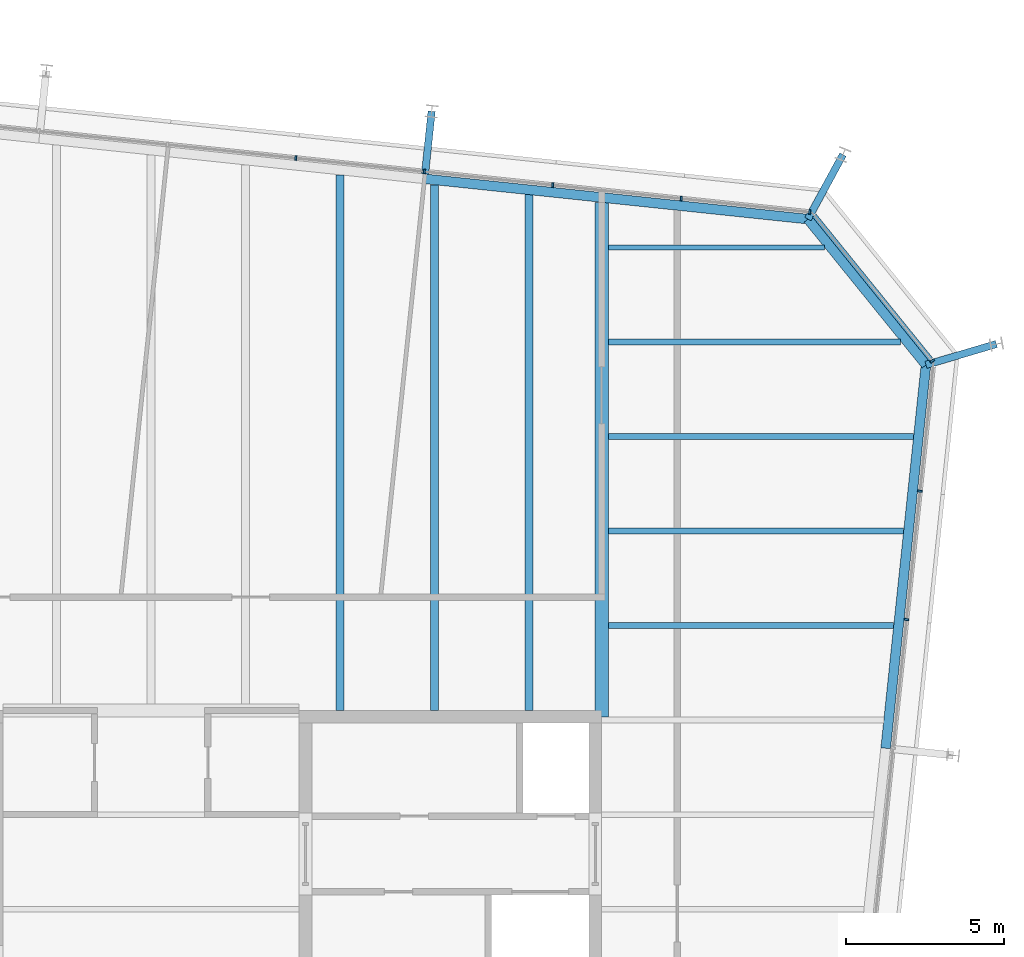
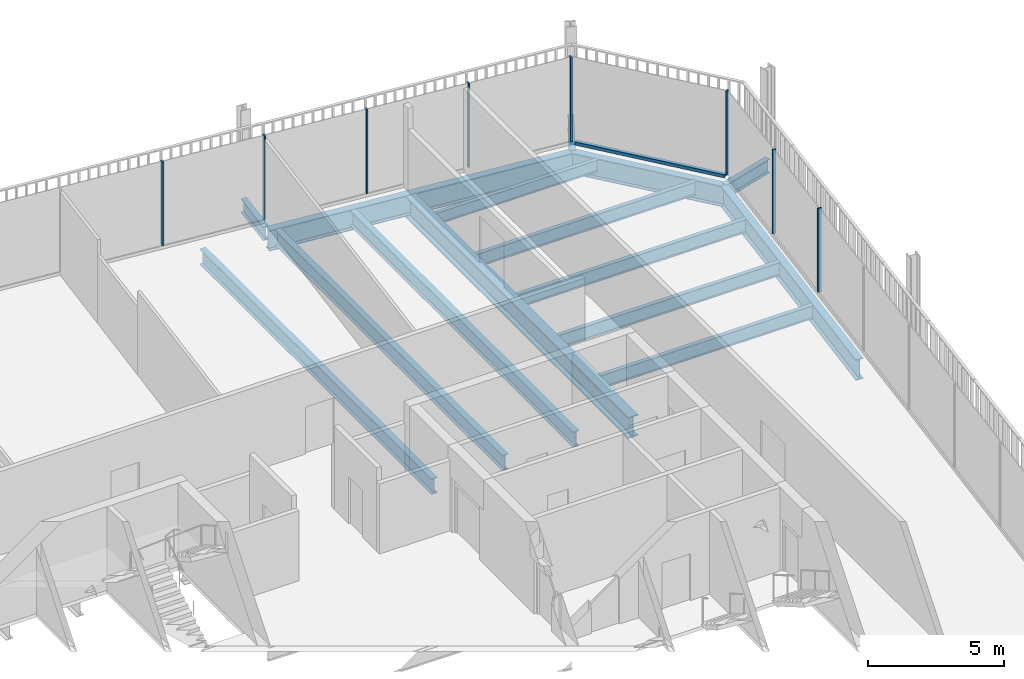
# One storey, part 14 of 20: 15 beams, 9 members, 3 elements without a shape of their own.
"""IFC4 building model written with IfcOpenShell, lengths in metres."""

from ifc_helpers import new_model, si_unit, direction, frame, origin, origin_2d, place, context, subcontext, project, spatial, rectangle, i_section, extrude, material, layer, layer_set, material_profile, profile_set, type_object, element, aggregate, save


model = new_model("IFC4")

# Units and contexts
model_context = context("Model", 3, precision=1e-05, world=origin(), true_north=direction((0.0, 1.0)))
body_context = subcontext(model_context, "Body", "Model", "MODEL_VIEW")
ifc_project = project(units=[si_unit("LENGTHUNIT", "METRE"), si_unit("AREAUNIT", "SQUARE_METRE"), si_unit("VOLUMEUNIT", "CUBIC_METRE"), si_unit("PLANEANGLEUNIT", "RADIAN"), si_unit("MASSUNIT", "GRAM", prefix="KILO")], contexts=[model_context])

# Site, building, storey
site_placement = place(None, origin())
site = spatial("IfcSite", under=ifc_project, at=site_placement, CompositionType="ELEMENT")
building_placement = place(site_placement, origin())
building = spatial("IfcBuilding", under=site, at=building_placement, Name="Millrace Tower", CompositionType="ELEMENT")
storey_placement = place(building_placement, frame((0.0, 0.0, 330.39990234375)))
storey = spatial("IfcBuildingStorey", under=building, at=storey_placement, Name="L76", CompositionType="ELEMENT", Elevation=330.39990234375)

# Curtain wall, members
ifc_material_1 = material(Name="Aluminium and glass", Category="aluminium")
ifc_layer = layer(ifc_material_1, 0.14990234375)
ifc_layer_set = layer_set([ifc_layer], Name="Aluminium and glass")
curtain_wall_type = type_object("IfcCurtainWallType", Name="CW-1 office vision curtain wall", PredefinedType="NOTDEFINED", material=ifc_layer_set)
placement = place(storey_placement, origin())
curtain_wall_1 = element("IfcCurtainWall", 1, at=placement, inside=storey, type_object=curtain_wall_type, Name="Curtain wall E-F04 L76", PredefinedType="NOTDEFINED")
ifc_material_2 = material(Name="Aluminium", Category="aluminium")
ifc_material_profile_1 = material_profile(ifc_material_2, rectangle(XDim=0.06494140625, YDim=0.14990234375, at=origin_2d()))
ifc_profile_set_1 = profile_set([ifc_material_profile_1], Name="Aluminium")
member_type_1 = type_object("IfcMemberType", Name="CW-1 office vision curtain wall mullion", PredefinedType="MULLION", material=ifc_profile_set_1)
member_1_placement = place(storey_placement, frame((23.974853515625, 12.1904296875, 0.14013671875), z_axis=(0.0, 0.0, 1.0), x_axis=(0.104528455196, 0.994521896217, 0.0)))
member_1 = element("IfcMember", 2, at=member_1_placement, type_object=member_type_1, Name="CW1 mullion E-F04.8", PredefinedType="MULLION", context=body_context, shape_type="SweptSolid", body=[
    extrude(rectangle(XDim=0.06494140625, YDim=0.14990234375, at=origin_2d()), origin(), (0.0, 0.0, 1.0), 3.760009765625),
])
member_2_placement = place(storey_placement, frame((24.4033203125, 16.267822265625, 0.14013671875), z_axis=(0.0, 0.0, 1.0), x_axis=(0.104528455196, 0.994521896217, 0.0)))
member_2 = element("IfcMember", 3, at=member_2_placement, type_object=member_type_1, Name="CW1 mullion E-F04.9", PredefinedType="MULLION", context=body_context, shape_type="SweptSolid", body=[
    extrude(rectangle(XDim=0.06494140625, YDim=0.14990234375, at=origin_2d()), origin(), (0.0, 0.0, 1.0), 3.760009765625),
])
aggregate(curtain_wall_1, [member_1, member_2])

# Curtain wall, member
curtain_wall_2 = element("IfcCurtainWall", 4, at=placement, inside=storey, type_object=curtain_wall_type, Name="Curtain wall E-F05 L76", PredefinedType="NOTDEFINED")
member_3_placement = place(storey_placement, frame((24.791748046875, 20.393310546875, 0.14013671875), z_axis=(0.0, 0.0, 1.0), x_axis=(-0.629320278945, 0.777146052237, 0.0)))
member_3 = element("IfcMember", 5, at=member_3_placement, type_object=member_type_1, Name="CW1 mullion E-F05.1", PredefinedType="MULLION", context=body_context, shape_type="SweptSolid", body=[
    extrude(rectangle(XDim=0.06494140625, YDim=0.14990234375, at=origin_2d()), origin(), (0.0, 0.0, 1.0), 3.760009765625),
])

# Curtain wall, members
curtain_wall_3 = element("IfcCurtainWall", 6, at=placement, inside=storey, type_object=curtain_wall_type, Name="Curtain wall E-F06 L76", PredefinedType="NOTDEFINED")
member_4_placement = place(storey_placement, frame((20.902587890625, 25.124755859375, 0.14013671875), z_axis=(0.0, 0.0, 1.0), x_axis=(-0.994521896217, 0.104528455196, 0.0)))
member_4 = element("IfcMember", 7, at=member_4_placement, type_object=member_type_1, Name="CW1 mullion E-F06.1", PredefinedType="MULLION", context=body_context, shape_type="SweptSolid", body=[
    extrude(rectangle(XDim=0.06494140625, YDim=0.14990234375, at=origin_2d()), origin(), (0.0, 0.0, 1.0), 3.760009765625),
])
member_5_placement = place(storey_placement, frame((16.824951171875, 25.553466796875, 0.14013671875), z_axis=(0.0, 0.0, 1.0), x_axis=(-0.994521896217, 0.104528455196, 0.0)))
member_5 = element("IfcMember", 8, at=member_5_placement, type_object=member_type_1, Name="CW1 mullion E-F06.2", PredefinedType="MULLION", context=body_context, shape_type="SweptSolid", body=[
    extrude(rectangle(XDim=0.06494140625, YDim=0.14990234375, at=origin_2d()), origin(), (0.0, 0.0, 1.0), 3.760009765625),
])
member_6_placement = place(storey_placement, frame((12.747314453125, 25.98193359375, 0.14013671875), z_axis=(0.0, 0.0, 1.0), x_axis=(-0.994521896217, 0.104528455196, 0.0)))
member_6 = element("IfcMember", 9, at=member_6_placement, type_object=member_type_1, Name="CW1 mullion E-F06.3", PredefinedType="MULLION", context=body_context, shape_type="SweptSolid", body=[
    extrude(rectangle(XDim=0.06494140625, YDim=0.14990234375, at=origin_2d()), origin(), (0.0, 0.0, 1.0), 3.760009765625),
])
member_7_placement = place(storey_placement, frame((8.669921875, 26.410400390625, 0.14013671875), z_axis=(0.0, 0.0, 1.0), x_axis=(-0.994521896217, 0.104528455196, 0.0)))
member_7 = element("IfcMember", 10, at=member_7_placement, type_object=member_type_1, Name="CW1 mullion E-F06.4", PredefinedType="MULLION", context=body_context, shape_type="SweptSolid", body=[
    extrude(rectangle(XDim=0.06494140625, YDim=0.14990234375, at=origin_2d()), origin(), (0.0, 0.0, 1.0), 3.760009765625),
])
member_8_placement = place(storey_placement, frame((4.59228515625, 26.839111328125, 0.14013671875), z_axis=(0.0, 0.0, 1.0), x_axis=(-0.994521896217, 0.104528455196, 0.0)))
member_8 = element("IfcMember", 11, at=member_8_placement, type_object=member_type_1, Name="CW1 mullion E-F06.5", PredefinedType="MULLION", context=body_context, shape_type="SweptSolid", body=[
    extrude(rectangle(XDim=0.06494140625, YDim=0.14990234375, at=origin_2d()), origin(), (0.0, 0.0, 1.0), 3.760009765625),
])
aggregate(curtain_wall_3, [member_4, member_5, member_6, member_7, member_8])

# Member
ifc_material_3 = material(Name="Aluminium", Category="aluminium")
ifc_material_profile_2 = material_profile(ifc_material_3, rectangle(XDim=0.14990234375, YDim=0.139892578125, at=origin_2d()))
ifc_profile_set_2 = profile_set([ifc_material_profile_2], Name="Aluminium")
member_type_2 = type_object("IfcMemberType", Name="CW-1 office vision curtain wall transom", PredefinedType="USERDEFINED", material=ifc_profile_set_2)
member_9_placement = place(storey_placement, frame((24.749267578125, 20.44580078125, 0.070068359375), z_axis=(-0.629321221277, 0.777145289151, 0.0), x_axis=(-0.777145289151, -0.629321221277, 0.0)))
member_9 = element("IfcMember", 12, at=member_9_placement, type_object=member_type_2, Name="CW1 transom E-F05.1", ObjectType="TRANSOM", PredefinedType="USERDEFINED", context=body_context, shape_type="SweptSolid", body=[
    extrude(rectangle(XDim=0.14990234375, YDim=0.139892578125, at=origin_2d()), origin(), (0.0, 0.0, 1.0), 5.881103515625),
])

aggregate(curtain_wall_2, [member_3, member_9])

# Beams
ifc_material_4 = material(Name="Steel ASTM A992 Grade 50", Category="steel")
ifc_material_profile_3 = material_profile(ifc_material_4, i_section(OverallWidth=0.1650390625, OverallDepth=0.52587890625, WebThickness=0.0087890625, FlangeThickness=0.011474609375, FilletRadius=0.0126953125, at=origin_2d()))
ifc_profile_set_3 = profile_set([ifc_material_profile_3], Name="Steel ASTM A992 Grade 50")
beam_type_1 = type_object("IfcBeamType", Name="Floor beam W21x44", PredefinedType="JOIST", material=ifc_profile_set_3)
beam_1_placement = place(storey_placement, frame((14.509521484375, 24.0, -0.4228515625), z_axis=(1.0, 0.0, 0.0), x_axis=(0.0, 1.0, 0.0)))
element("IfcBeam", 13, at=beam_1_placement, inside=storey, type_object=beam_type_1, Name="BM-E-L76-S1-S034", PredefinedType="JOIST", context=body_context, shape_type="SweptSolid", body=[
    extrude(i_section(OverallWidth=0.1650390625, OverallDepth=0.52587890625, WebThickness=0.0087890625, FlangeThickness=0.011474609375, FilletRadius=0.0126953125, at=origin_2d()), origin(), (0.0, 0.0, 1.0), 6.861572265625),
])
ifc_material_5 = material(Name="Steel ASTM A992 Grade 50", Category="steel")
ifc_material_profile_4 = material_profile(ifc_material_5, i_section(OverallWidth=0.177978515625, OverallDepth=0.599365234375, WebThickness=0.010009765625, FlangeThickness=0.012939453125, FilletRadius=0.012939453125, at=origin_2d()))
ifc_profile_set_4 = profile_set([ifc_material_profile_4], Name="Steel ASTM A992 Grade 50")
beam_type_2 = type_object("IfcBeamType", Name="Floor beam W24x55", PredefinedType="JOIST", material=ifc_profile_set_4)
beam_2_placement = place(storey_placement, frame((14.509521484375, 12.0, -0.459716796875), z_axis=(1.0, 0.0, 0.0), x_axis=(0.0, 1.0, 0.0)))
element("IfcBeam", 14, at=beam_2_placement, inside=storey, type_object=beam_type_2, Name="BM-E-L76-S1-S026", PredefinedType="JOIST", context=body_context, shape_type="SweptSolid", body=[
    extrude(i_section(OverallWidth=0.177978515625, OverallDepth=0.599365234375, WebThickness=0.010009765625, FlangeThickness=0.012939453125, FilletRadius=0.012939453125, at=origin_2d()), origin(), (0.0, 0.0, 1.0), 9.060791015625),
])
beam_3_placement = place(storey_placement, frame((14.509521484375, 15.0, -0.459716796875), z_axis=(1.0, 0.0, 0.0), x_axis=(0.0, 1.0, 0.0)))
element("IfcBeam", 15, at=beam_3_placement, inside=storey, type_object=beam_type_2, Name="BM-E-L76-S1-S028", PredefinedType="JOIST", context=body_context, shape_type="SweptSolid", body=[
    extrude(i_section(OverallWidth=0.177978515625, OverallDepth=0.599365234375, WebThickness=0.010009765625, FlangeThickness=0.012939453125, FilletRadius=0.012939453125, at=origin_2d()), origin(), (0.0, 0.0, 1.0), 9.376220703125),
])
beam_4_placement = place(storey_placement, frame((14.509521484375, 18.0, -0.459716796875), z_axis=(1.0, 0.0, 0.0), x_axis=(0.0, 1.0, 0.0)))
element("IfcBeam", 16, at=beam_4_placement, inside=storey, type_object=beam_type_2, Name="BM-E-L76-S1-S030", PredefinedType="JOIST", context=body_context, shape_type="SweptSolid", body=[
    extrude(i_section(OverallWidth=0.177978515625, OverallDepth=0.599365234375, WebThickness=0.010009765625, FlangeThickness=0.012939453125, FilletRadius=0.012939453125, at=origin_2d()), origin(), (0.0, 0.0, 1.0), 9.69140625),
])
beam_5_placement = place(storey_placement, frame((14.509521484375, 21.0, -0.459716796875), z_axis=(1.0, 0.0, 0.0), x_axis=(0.0, 1.0, 0.0)))
element("IfcBeam", 17, at=beam_5_placement, inside=storey, type_object=beam_type_2, Name="BM-E-L76-S1-S032", PredefinedType="JOIST", context=body_context, shape_type="SweptSolid", body=[
    extrude(i_section(OverallWidth=0.177978515625, OverallDepth=0.599365234375, WebThickness=0.010009765625, FlangeThickness=0.012939453125, FilletRadius=0.012939453125, at=origin_2d()), origin(), (0.0, 0.0, 1.0), 9.282958984375),
])
ifc_material_6 = material(Name="Steel ASTM A992 Grade 50", Category="steel")
ifc_material_profile_5 = material_profile(ifc_material_6, i_section(OverallWidth=0.256591796875, OverallDepth=0.693359375, WebThickness=0.014404296875, FlangeThickness=0.023681640625, FilletRadius=0.01513671875, at=origin_2d()))
ifc_profile_set_5 = profile_set([ifc_material_profile_5], Name="Steel ASTM A992 Grade 50")
beam_type_3 = type_object("IfcBeamType", Name="Floor beam W27x114", PredefinedType="JOIST", material=ifc_profile_set_5)
beam_6_placement = place(storey_placement, frame((6.0, 9.300048828125, -0.506591796875), z_axis=(0.0, 1.0, 0.0), x_axis=(-1.0, 0.0, 0.0)))
element("IfcBeam", 18, at=beam_6_placement, inside=storey, type_object=beam_type_3, Name="BM-E-L76-S1-S048", PredefinedType="JOIST", context=body_context, shape_type="SweptSolid", body=[
    extrude(i_section(OverallWidth=0.256591796875, OverallDepth=0.693359375, WebThickness=0.014404296875, FlangeThickness=0.023681640625, FilletRadius=0.01513671875, at=origin_2d()), origin(), (0.0, 0.0, 1.0), 17.006591796875),
])
beam_7_placement = place(storey_placement, frame((9.0, 9.300048828125, -0.506591796875), z_axis=(0.0, 1.0, 0.0), x_axis=(-1.0, 0.0, 0.0)))
element("IfcBeam", 19, at=beam_7_placement, inside=storey, type_object=beam_type_3, Name="BM-E-L76-S1-S050", PredefinedType="JOIST", context=body_context, shape_type="SweptSolid", body=[
    extrude(i_section(OverallWidth=0.256591796875, OverallDepth=0.693359375, WebThickness=0.014404296875, FlangeThickness=0.023681640625, FilletRadius=0.01513671875, at=origin_2d()), origin(), (0.0, 0.0, 1.0), 16.69140625),
])
beam_8_placement = place(storey_placement, frame((12.0, 9.300048828125, -0.506591796875), z_axis=(0.0, 1.0, 0.0), x_axis=(-1.0, 0.0, 0.0)))
element("IfcBeam", 20, at=beam_8_placement, inside=storey, type_object=beam_type_3, Name="BM-E-L76-S1-S052", PredefinedType="JOIST", context=body_context, shape_type="SweptSolid", body=[
    extrude(i_section(OverallWidth=0.256591796875, OverallDepth=0.693359375, WebThickness=0.014404296875, FlangeThickness=0.023681640625, FilletRadius=0.01513671875, at=origin_2d()), origin(), (0.0, 0.0, 1.0), 16.3759765625),
])
ifc_material_7 = material(Name="Steel ASTM A992 Grade 50", Category="steel")
ifc_material_profile_6 = material_profile(ifc_material_7, i_section(OverallWidth=0.424072265625, OverallDepth=0.947509765625, WebThickness=0.02392578125, FlangeThickness=0.042724609375, FilletRadius=0.024169921875, at=origin_2d()))
ifc_profile_set_6 = profile_set([ifc_material_profile_6], Name="Steel ASTM A992 Grade 50")
beam_type_4 = type_object("IfcBeamType", Name="Girder medium span W36x302", PredefinedType="BEAM", material=ifc_profile_set_6)
beam_9_placement = place(storey_placement, frame((14.300048828125, 9.092041015625, -0.633544921875), z_axis=(0.0, 1.0, 0.0), x_axis=(-1.0, 0.0, 0.0)))
element("IfcBeam", 21, at=beam_9_placement, inside=storey, type_object=beam_type_4, Name="BM-E-L76-S1-G056", PredefinedType="BEAM", context=body_context, shape_type="SweptSolid", body=[
    extrude(i_section(OverallWidth=0.424072265625, OverallDepth=0.947509765625, WebThickness=0.02392578125, FlangeThickness=0.042724609375, FilletRadius=0.024169921875, at=origin_2d()), origin(), (0.0, 0.0, 1.0), 16.34228515625),
])
ifc_material_8 = material(Name="Steel ASTM A992 Grade 50", Category="steel")
ifc_material_profile_7 = material_profile(ifc_material_8, i_section(OverallWidth=0.23046875, OverallDepth=0.6171875, WebThickness=0.01318359375, FlangeThickness=0.022216796875, FilletRadius=0.012939453125, at=origin_2d()))
ifc_profile_set_7 = profile_set([ifc_material_profile_7], Name="Steel ASTM A992 Grade 50")
beam_type_5 = type_object("IfcBeamType", Name="Link beam W24x94", PredefinedType="BEAM", material=ifc_profile_set_7)
beam_10_placement = place(storey_placement, frame((8.6943359375, 26.33251953125, -0.468505859375), z_axis=(0.104494148666, 0.99452550138, 0.0), x_axis=(-0.99452550138, 0.104494148666, 0.0)))
element("IfcBeam", 22, at=beam_10_placement, inside=storey, type_object=beam_type_5, Name="LNK-E-L76-S1-07", PredefinedType="BEAM", context=body_context, shape_type="SweptSolid", body=[
    extrude(i_section(OverallWidth=0.23046875, OverallDepth=0.6171875, WebThickness=0.01318359375, FlangeThickness=0.022216796875, FilletRadius=0.012939453125, at=origin_2d()), origin(), (0.0, 0.0, 1.0), 2.0),
])
for number, where, z_axis, x_axis, name in (
    (23, (20.84765625, 24.900634765625, -0.468505859375), (0.477163510307, 0.87881453358, 0.0), (-0.87881453358, 0.477163510307, 0.0), "LNK-E-L76-S1-08"),
    (24, (24.594482421875, 20.273681640625, -0.468505859375), (0.958815015936, 0.284031275065, 0.0), (-0.284031275065, 0.958815015936, 0.0), "LNK-E-L76-S1-09"),
):
    element("IfcBeam", number, at=place(storey_placement, frame(where, z_axis=z_axis, x_axis=x_axis)), inside=storey, type_object=beam_type_5, Name=name, PredefinedType="BEAM", context=body_context, shape_type="SweptSolid", body=[
        extrude(i_section(OverallWidth=0.23046875, OverallDepth=0.6171875, WebThickness=0.01318359375, FlangeThickness=0.022216796875, FilletRadius=0.012939453125, at=origin_2d()), origin(), (0.0, 0.0, 1.0), 2.3310546875),
    ])
ifc_material_9 = material(Name="Steel ASTM A992 Grade 50", Category="steel")
ifc_material_profile_8 = material_profile(ifc_material_9, i_section(OverallWidth=0.307373046875, OverallDepth=0.927001953125, WebThickness=0.01953125, FlangeThickness=0.031982421875, FilletRadius=0.01904296875, at=origin_2d()))
ifc_profile_set_8 = profile_set([ifc_material_profile_8], Name="Steel ASTM A992 Grade 50")
beam_type_6 = type_object("IfcBeamType", Name="Ring beam medium span W36x194", PredefinedType="SPANDREL", material=ifc_profile_set_8)
for number, where, z_axis, x_axis, name in (
    (25, (8.67822265625, 26.1796875, -0.62353515625), (0.994521948696, -0.104527955888, 0.0), (0.104527955888, 0.994521948696, 0.0), "RNG-E-L76-S1-07"),
    (26, (24.594482421875, 20.273681640625, -0.62353515625), (-0.104527955888, -0.994521948696, 0.0), (0.994521948696, -0.104527955888, 0.0), "RNG-E-L76-S1-09"),
):
    element("IfcBeam", number, at=place(storey_placement, frame(where, z_axis=z_axis, x_axis=x_axis)), inside=storey, type_object=beam_type_6, Name=name, PredefinedType="SPANDREL", context=body_context, shape_type="SweptSolid", body=[
        extrude(i_section(OverallWidth=0.307373046875, OverallDepth=0.927001953125, WebThickness=0.01953125, FlangeThickness=0.031982421875, FilletRadius=0.01904296875, at=origin_2d()), origin(), (0.0, 0.0, 1.0), 12.236572265625),
    ])
ifc_material_10 = material(Name="Steel ASTM A992 Grade 50", Category="steel")
ifc_material_profile_9 = material_profile(ifc_material_10, i_section(OverallWidth=0.307373046875, OverallDepth=0.927001953125, WebThickness=0.01953125, FlangeThickness=0.031982421875, FilletRadius=0.01904296875, at=origin_2d()))
ifc_profile_set_9 = profile_set([ifc_material_profile_9], Name="Steel ASTM A992 Grade 50")
beam_type_7 = type_object("IfcBeamType", Name="Ring beam short span W36x194", PredefinedType="SPANDREL", material=ifc_profile_set_9)
beam_11_placement = place(storey_placement, frame((20.84765625, 24.900634765625, -0.62353515625), z_axis=(0.629319722443, -0.777146502883, 0.0), x_axis=(0.777146502883, 0.629319722443, 0.0)))
element("IfcBeam", 27, at=beam_11_placement, inside=storey, type_object=beam_type_7, Name="RNG-E-L76-S1-08", PredefinedType="SPANDREL", context=body_context, shape_type="SweptSolid", body=[
    extrude(i_section(OverallWidth=0.307373046875, OverallDepth=0.927001953125, WebThickness=0.01953125, FlangeThickness=0.031982421875, FilletRadius=0.01904296875, at=origin_2d()), origin(), (0.0, 0.0, 1.0), 5.953857421875),
])

save(model, "model.ifc")
